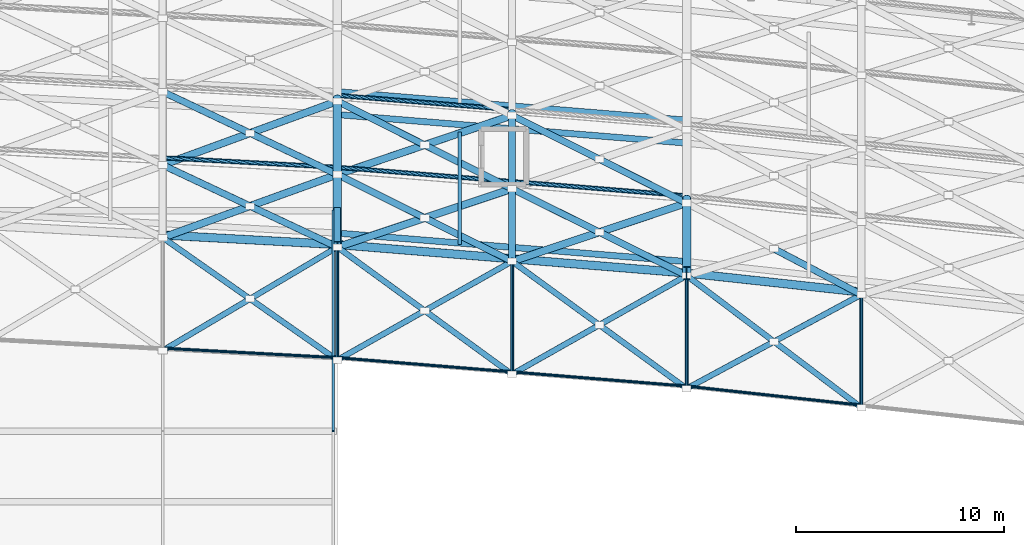
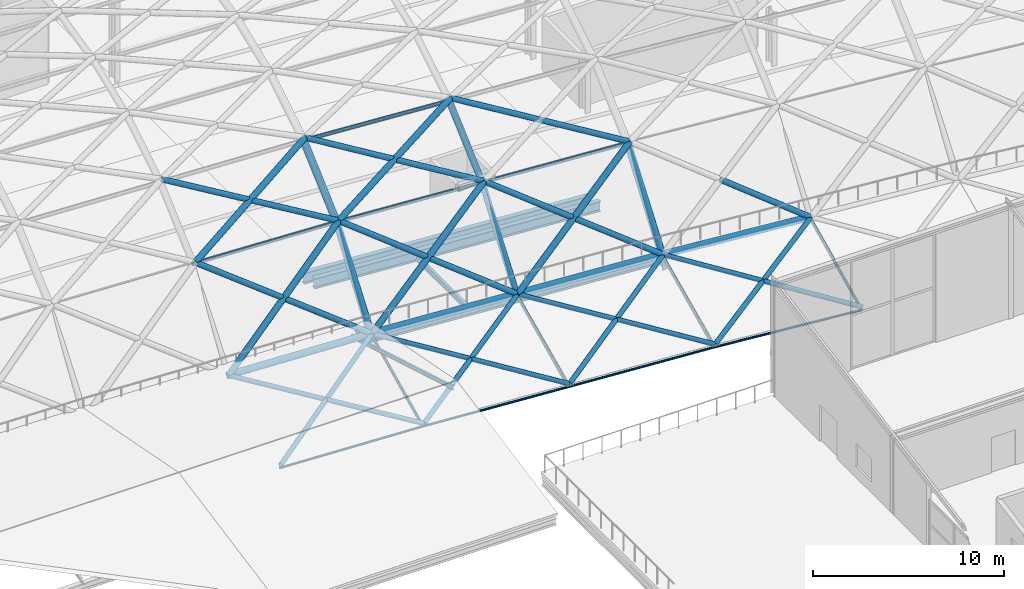
# One storey, part 50 of 100: 54 members, 4 beams.
"""IFC4 building model written with IfcOpenShell, lengths in metres."""

from ifc_helpers import new_model, si_unit, direction, frame, origin, origin_2d, place, context, subcontext, project, spatial, hollow_circle, i_section, extrude, material, material_profile, profile_set, type_object, element, save


model = new_model("IFC4")

# Units and contexts
model_context = context("Model", 3, precision=1e-05, world=origin(), true_north=direction((0.0, 1.0)))
body_context = subcontext(model_context, "Body", "Model", "MODEL_VIEW")
ifc_project = project(units=[si_unit("LENGTHUNIT", "METRE"), si_unit("AREAUNIT", "SQUARE_METRE"), si_unit("VOLUMEUNIT", "CUBIC_METRE"), si_unit("PLANEANGLEUNIT", "RADIAN"), si_unit("MASSUNIT", "GRAM", prefix="KILO")], contexts=[model_context])

# Site, building, storey
site_placement = place(None, origin())
site = spatial("IfcSite", under=ifc_project, at=site_placement, CompositionType="ELEMENT")
building_placement = place(site_placement, origin())
building = spatial("IfcBuilding", under=site, at=building_placement, Name="Kimbaza Rail Terminus", CompositionType="ELEMENT")
storey_placement = place(building_placement, frame((0.0, 0.0, 10.800048828125)))
storey = spatial("IfcBuildingStorey", under=building, at=storey_placement, Name="L02", CompositionType="ELEMENT", Elevation=10.800048828125)

# Beams
ifc_material_1 = material(Name="Steel S355", Category="steel")
ifc_material_profile_1 = material_profile(ifc_material_1, i_section(OverallWidth=0.300048828125, OverallDepth=0.64990234375, WebThickness=0.01611328125, FlangeThickness=0.031005859375, FilletRadius=0.027099609375, at=origin_2d()), Name="HEB 650")
ifc_profile_set_1 = profile_set([ifc_material_profile_1], Name="Steel S355")
beam_type_1 = type_object("IfcBeamType", Name="STR-BM-HEB650", PredefinedType="USERDEFINED", material=ifc_profile_set_1)
for number, where, z_axis, x_axis, name in (
    (1, (156.14453125, 53.9140625, -0.5849609375), (0.996689077675, -0.081307333267, 0.0), (0.081307333267, 0.996689077675, 0.0), "Viaduct Chorded Girder P1 Bay 09"),
    (2, (156.14453125, 59.614013671875, -0.5849609375), (0.996689077675, -0.081307333267, 0.0), (0.081307333267, 0.996689077675, 0.0), "Viaduct Chorded Girder P1 Bay 09"),
):
    element("IfcBeam", number, at=place(storey_placement, frame(where, z_axis=z_axis, x_axis=x_axis)), inside=storey, type_object=beam_type_1, Name=name, ObjectType="GIRDER", PredefinedType="USERDEFINED", context=body_context, shape_type="SweptSolid", body=[
        extrude(i_section(OverallWidth=0.300048828125, OverallDepth=0.64990234375, WebThickness=0.01611328125, FlangeThickness=0.031005859375, FilletRadius=0.027099609375, at=origin_2d()), origin(), (0.0, 0.0, 1.0), 16.56591796875),
    ])
ifc_material_2 = material(Name="Steel S355", Category="steel")
ifc_material_profile_2 = material_profile(ifc_material_2, i_section(OverallWidth=0.300048828125, OverallDepth=0.699951171875, WebThickness=0.01708984375, FlangeThickness=0.031982421875, FilletRadius=0.027099609375, at=origin_2d()), Name="HEB 700")
ifc_profile_set_2 = profile_set([ifc_material_profile_2], Name="Steel S355")
beam_type_2 = type_object("IfcBeamType", Name="STR-BM-HEB700", PredefinedType="USERDEFINED", material=ifc_profile_set_2)
beam_1_placement = place(storey_placement, frame((156.14453125, 60.714111328125, -0.920166015625), z_axis=(0.996689077675, -0.081307333267, 0.0), x_axis=(0.081307333267, 0.996689077675, 0.0)))
element("IfcBeam", 3, at=beam_1_placement, inside=storey, type_object=beam_type_2, Name="Viaduct Chorded Girder TR12 Bay 09", ObjectType="GIRDER", PredefinedType="USERDEFINED", context=body_context, shape_type="SweptSolid", body=[
    extrude(i_section(OverallWidth=0.300048828125, OverallDepth=0.699951171875, WebThickness=0.01708984375, FlangeThickness=0.031982421875, FilletRadius=0.027099609375, at=origin_2d()), origin(), (0.0, 0.0, 1.0), 16.56591796875),
])
ifc_material_3 = material(Name="Steel S355", Category="steel")
ifc_material_profile_3 = material_profile(ifc_material_3, i_section(OverallWidth=0.169921875, OverallDepth=0.360107421875, WebThickness=0.008056640625, FlangeThickness=0.0126953125, FilletRadius=0.01806640625, at=origin_2d()), Name="IPE 360")
ifc_profile_set_3 = profile_set([ifc_material_profile_3], Name="Steel S355")
beam_type_3 = type_object("IfcBeamType", Name="STR-BM-IPE360", PredefinedType="JOIST", material=ifc_profile_set_3)
beam_2_placement = place(storey_placement, frame((161.8798828125, 53.385498046875, -0.43994140625), z_axis=(0.0, 1.0, 0.0), x_axis=(-1.0, 0.0, 0.0)))
element("IfcBeam", 4, at=beam_2_placement, inside=storey, type_object=beam_type_3, Name="Viaduct Diaphragm P1 Bay 09", PredefinedType="JOIST", context=body_context, shape_type="SweptSolid", body=[
    extrude(i_section(OverallWidth=0.169921875, OverallDepth=0.360107421875, WebThickness=0.008056640625, FlangeThickness=0.0126953125, FilletRadius=0.01806640625, at=origin_2d()), origin(), (0.0, 0.0, 1.0), 5.41015625),
])

# Members
ifc_material_4 = material(Name="White painted steel S355", Category="steel")
ifc_material_profile_4 = material_profile(ifc_material_4, hollow_circle(Radius=0.06982421875, WallThickness=0.00634765625, at=origin_2d()), Name="CHS 139.7x6.3")
ifc_profile_set_4 = profile_set([ifc_material_profile_4], Name="White painted steel S355")
member_type_1 = type_object("IfcMemberType", Name="STR-MB-CHS139", PredefinedType="COLLAR", material=ifc_profile_set_4)
member_1_placement = place(storey_placement, frame((147.60009765625, 48.3896484375, -2.62744140625), z_axis=(0.998529393298, -0.054213012459, 0.0), x_axis=(0.054213012459, 0.998529393298, 0.0)))
element("IfcMember", 5, at=member_1_placement, inside=storey, type_object=member_type_1, Name="Vault lattice longitudinal purlin VR-15-VA00", PredefinedType="COLLAR", context=body_context, shape_type="SweptSolid", body=[
    extrude(hollow_circle(Radius=0.06982421875, WallThickness=0.00634765625, at=origin_2d()), origin(), (0.0, 0.0, 1.0), 8.412353515625),
])
member_2_placement = place(storey_placement, frame((156.0, 47.93359375, -2.62744140625), z_axis=(0.996690845265, -0.081285662728, 0.0), x_axis=(0.081285662728, 0.996690845265, 0.0)))
element("IfcMember", 6, at=member_2_placement, inside=storey, type_object=member_type_1, Name="Vault lattice longitudinal purlin VR-16-VA00", PredefinedType="COLLAR", context=body_context, shape_type="SweptSolid", body=[
    extrude(hollow_circle(Radius=0.06982421875, WallThickness=0.00634765625, at=origin_2d()), origin(), (0.0, 0.0, 1.0), 8.427734375),
])
member_3_placement = place(storey_placement, frame((164.39990234375, 47.24853515625, -2.62744140625), z_axis=(0.996688689454, -0.081312092054, 0.0), x_axis=(0.081312092054, 0.996688689454, 0.0)))
element("IfcMember", 7, at=member_3_placement, inside=storey, type_object=member_type_1, Name="Vault lattice longitudinal purlin VR-17-VA00", PredefinedType="COLLAR", context=body_context, shape_type="SweptSolid", body=[
    extrude(hollow_circle(Radius=0.06982421875, WallThickness=0.00634765625, at=origin_2d()), origin(), (0.0, 0.0, 1.0), 8.427978515625),
])
member_4_placement = place(storey_placement, frame((172.800048828125, 46.563232421875, -2.62744140625), z_axis=(0.99410959352, -0.108379500241, 0.0), x_axis=(0.108379500241, 0.99410959352, 0.0)))
element("IfcMember", 8, at=member_4_placement, inside=storey, type_object=member_type_1, Name="Vault lattice longitudinal purlin VR-18-VA00", PredefinedType="COLLAR", context=body_context, shape_type="SweptSolid", body=[
    extrude(hollow_circle(Radius=0.06982421875, WallThickness=0.00634765625, at=origin_2d()), origin(), (0.0, 0.0, 1.0), 8.44970703125),
])
ifc_material_5 = material(Name="White painted steel S355", Category="steel")
ifc_material_profile_5 = material_profile(ifc_material_5, hollow_circle(Radius=0.084228515625, WallThickness=0.00634765625, at=origin_2d()), Name="CHS 168.3x6.3")
ifc_profile_set_5 = profile_set([ifc_material_profile_5], Name="White painted steel S355")
member_type_2 = type_object("IfcMemberType", Name="STR-MB-CHS168", PredefinedType="RAFTER", material=ifc_profile_set_5)
for number, where, z_axis, x_axis, name in (
    (9, (156.0, 47.92529296875, -2.609375), (0.0, 0.901963905621, 0.431811432174), (-1.0, 0.0, 0.0), "Vault lattice arch chord VR-16 seg 1"),
    (10, (164.39990234375, 47.240234375, -2.609375), (0.0, 0.901963905621, 0.431811432174), (-1.0, 0.0, 0.0), "Vault lattice arch chord VR-17 seg 1"),
    (11, (172.800048828125, 46.554931640625, -2.609375), (0.0, 0.901963905621, 0.431811432174), (-1.0, 0.0, 0.0), "Vault lattice arch chord VR-18 seg 1"),
    (12, (181.199951171875, 45.63916015625, -2.609375), (0.0, 0.901963905621, 0.431811432174), (-1.0, 0.0, 0.0), "Vault lattice arch chord VR-19 seg 1"),
):
    element("IfcMember", number, at=place(storey_placement, frame(where, z_axis=z_axis, x_axis=x_axis)), inside=storey, type_object=member_type_2, Name=name, PredefinedType="RAFTER", context=body_context, shape_type="SweptSolid", body=[
        extrude(hollow_circle(Radius=0.084228515625, WallThickness=0.00634765625, at=origin_2d()), origin(), (0.0, 0.0, 1.0), 6.04296875),
    ])
ifc_material_6 = material(Name="White painted steel S355", Category="steel")
ifc_material_profile_6 = material_profile(ifc_material_6, hollow_circle(Radius=0.109619140625, WallThickness=0.008056640625, at=origin_2d()), Name="CHS 219.1x8")
ifc_profile_set_6 = profile_set([ifc_material_profile_6], Name="White painted steel S355")
member_type_3 = type_object("IfcMemberType", Name="STR-MB-CHS219", PredefinedType="PURLIN", material=ifc_profile_set_6)
member_5_placement = place(storey_placement, frame((147.60009765625, 57.546630859375, 4.85205078125), z_axis=(0.998529393298, -0.054213012459, 0.0), x_axis=(0.054213012459, 0.998529393298, 0.0)))
element("IfcMember", 13, at=member_5_placement, inside=storey, type_object=member_type_3, Name="Vault lattice longitudinal purlin VR-15-VA02", PredefinedType="PURLIN", context=body_context, shape_type="SweptSolid", body=[
    extrude(hollow_circle(Radius=0.109619140625, WallThickness=0.008056640625, at=origin_2d()), origin(), (0.0, 0.0, 1.0), 8.412353515625),
])
for number, where, z_axis, x_axis, name in (
    (14, (156.0, 57.090576171875, 4.85205078125), (0.996690845265, -0.081285662728, 0.0), (0.081285662728, 0.996690845265, 0.0), "Vault lattice longitudinal purlin VR-16-VA02"),
    (15, (156.0, 60.547607421875, 7.9716796875), (0.996690845265, -0.081285662728, 0.0), (0.081285662728, 0.996690845265, 0.0), "Vault lattice longitudinal purlin VR-16-VA03"),
):
    element("IfcMember", number, at=place(storey_placement, frame(where, z_axis=z_axis, x_axis=x_axis)), inside=storey, type_object=member_type_3, Name=name, PredefinedType="PURLIN", context=body_context, shape_type="SweptSolid", body=[
        extrude(hollow_circle(Radius=0.109619140625, WallThickness=0.008056640625, at=origin_2d()), origin(), (0.0, 0.0, 1.0), 8.427734375),
    ])
member_6_placement = place(storey_placement, frame((164.39990234375, 56.405517578125, 4.85205078125), z_axis=(0.996688689454, -0.081312092054, 0.0), x_axis=(0.081312092054, 0.996688689454, 0.0)))
element("IfcMember", 16, at=member_6_placement, inside=storey, type_object=member_type_3, Name="Vault lattice longitudinal purlin VR-17-VA02", PredefinedType="PURLIN", context=body_context, shape_type="SweptSolid", body=[
    extrude(hollow_circle(Radius=0.109619140625, WallThickness=0.008056640625, at=origin_2d()), origin(), (0.0, 0.0, 1.0), 8.427978515625),
])
ifc_material_7 = material(Name="White painted steel S355", Category="steel")
ifc_material_profile_7 = material_profile(ifc_material_7, hollow_circle(Radius=0.136474609375, WallThickness=0.010009765625, at=origin_2d()), Name="CHS 273x10")
ifc_profile_set_7 = profile_set([ifc_material_profile_7], Name="White painted steel S355")
member_type_4 = type_object("IfcMemberType", Name="STR-MB-CHS273", PredefinedType="STRUT", material=ifc_profile_set_7)
member_7_placement = place(storey_placement, frame((147.60009765625, 48.27392578125, -2.37255859375), z_axis=(0.834707970111, 0.494599528764, 0.242144400677), x_axis=(-0.509770175808, 0.86031062289, 0.0)))
element("IfcMember", 17, at=member_7_placement, inside=storey, type_object=member_type_4, Name="Vault lattice diagonal A VR-15-VA00", PredefinedType="STRUT", context=body_context, shape_type="SweptSolid", body=[
    extrude(hollow_circle(Radius=0.136474609375, WallThickness=0.010009765625, at=origin_2d()), origin(), (0.0, 0.0, 1.0), 10.063232421875),
])
member_8_placement = place(storey_placement, frame((156.0, 47.81787109375, -2.37255859375), z_axis=(-0.796627165653, 0.558560534332, 0.231074205465), x_axis=(-0.574097844194, -0.818786703172, 0.0)))
element("IfcMember", 18, at=member_8_placement, inside=storey, type_object=member_type_4, Name="Vault lattice diagonal B1 VR-15-VA00", PredefinedType="STRUT", context=body_context, shape_type="SweptSolid", body=[
    extrude(hollow_circle(Radius=0.136474609375, WallThickness=0.010009765625, at=origin_2d()), origin(), (0.0, 0.0, 1.0), 5.272216796875),
])
member_9_placement = place(storey_placement, frame((151.800048828125, 50.7626953125, -1.154296875), z_axis=(-0.796639245117, 0.558522695772, 0.231124017461), x_axis=(-0.574065934256, -0.818809076114, 0.0)))
element("IfcMember", 19, at=member_9_placement, inside=storey, type_object=member_type_4, Name="Vault lattice diagonal B2 VR-15-VA00", PredefinedType="STRUT", context=body_context, shape_type="SweptSolid", body=[
    extrude(hollow_circle(Radius=0.136474609375, WallThickness=0.010009765625, at=origin_2d()), origin(), (0.0, 0.0, 1.0), 5.27197265625),
])
member_10_placement = place(storey_placement, frame((156.0, 47.81787109375, -2.37255859375), z_axis=(0.844040955937, 0.477118890659, 0.244851850875), x_axis=(-0.492098109028, 0.870539746991, 0.0)))
element("IfcMember", 20, at=member_10_placement, inside=storey, type_object=member_type_4, Name="Vault lattice diagonal A VR-16-VA00", PredefinedType="STRUT", context=body_context, shape_type="SweptSolid", body=[
    extrude(hollow_circle(Radius=0.136474609375, WallThickness=0.010009765625, at=origin_2d()), origin(), (0.0, 0.0, 1.0), 9.951904296875),
])
for number, where, z_axis, x_axis, name in (
    (21, (164.39990234375, 47.1328125, -2.37255859375), (-0.786954526171, 0.573232992353, 0.228268504656), (-0.588777774906, -0.808294953452, 0.0), "Vault lattice diagonal B1 VR-16-VA00"),
    (22, (160.199951171875, 50.192138671875, -1.154296875), (-0.786966943327, 0.573196291338, 0.22831785236), (-0.588747075962, -0.808317314268, 0.0), "Vault lattice diagonal B2 VR-16-VA00"),
):
    element("IfcMember", number, at=place(storey_placement, frame(where, z_axis=z_axis, x_axis=x_axis)), inside=storey, type_object=member_type_4, Name=name, PredefinedType="STRUT", context=body_context, shape_type="SweptSolid", body=[
        extrude(hollow_circle(Radius=0.136474609375, WallThickness=0.010009765625, at=origin_2d()), origin(), (0.0, 0.0, 1.0), 5.3369140625),
    ])
member_11_placement = place(storey_placement, frame((164.39990234375, 47.1328125, -2.37255859375), z_axis=(0.844048010936, 0.477109011675, 0.244846781096), x_axis=(-0.492087270091, 0.870545873929, 0.0)))
element("IfcMember", 23, at=member_11_placement, inside=storey, type_object=member_type_4, Name="Vault lattice diagonal A VR-17-VA00", PredefinedType="STRUT", context=body_context, shape_type="SweptSolid", body=[
    extrude(hollow_circle(Radius=0.136474609375, WallThickness=0.010009765625, at=origin_2d()), origin(), (0.0, 0.0, 1.0), 9.9521484375),
])
member_12_placement = place(storey_placement, frame((172.800048828125, 46.447509765625, -2.37255859375), z_axis=(-0.786954526171, 0.573232992353, 0.228268504656), x_axis=(-0.588777774906, -0.808294953452, 0.0)))
element("IfcMember", 24, at=member_12_placement, inside=storey, type_object=member_type_4, Name="Vault lattice diagonal B1 VR-17-VA00", PredefinedType="STRUT", context=body_context, shape_type="SweptSolid", body=[
    extrude(hollow_circle(Radius=0.136474609375, WallThickness=0.010009765625, at=origin_2d()), origin(), (0.0, 0.0, 1.0), 5.3369140625),
])
member_13_placement = place(storey_placement, frame((168.60009765625, 49.5068359375, -1.154296875), z_axis=(-0.786963722732, 0.573206371167, 0.228303646835), x_axis=(-0.58875541475, -0.808311240552, 0.0)))
element("IfcMember", 25, at=member_13_placement, inside=storey, type_object=member_type_4, Name="Vault lattice diagonal B2 VR-17-VA00", PredefinedType="STRUT", context=body_context, shape_type="SweptSolid", body=[
    extrude(hollow_circle(Radius=0.136474609375, WallThickness=0.010009765625, at=origin_2d()), origin(), (0.0, 0.0, 1.0), 5.337158203125),
])
member_14_placement = place(storey_placement, frame((172.800048828125, 46.447509765625, -2.37255859375), z_axis=(0.853300104894, 0.458916036184, 0.247537881385), x_axis=(-0.473657089864, 0.88070935116, 0.0)))
element("IfcMember", 26, at=member_14_placement, inside=storey, type_object=member_type_4, Name="Vault lattice diagonal A VR-18-VA00", PredefinedType="STRUT", context=body_context, shape_type="SweptSolid", body=[
    extrude(hollow_circle(Radius=0.136474609375, WallThickness=0.010009765625, at=origin_2d()), origin(), (0.0, 0.0, 1.0), 9.843994140625),
])
member_15_placement = place(storey_placement, frame((181.199951171875, 45.53173828125, -2.37255859375), z_axis=(-0.777214726015, 0.587462831039, 0.22544332284), x_axis=(-0.602985929157, -0.797751821833, 0.0)))
element("IfcMember", 27, at=member_15_placement, inside=storey, type_object=member_type_4, Name="Vault lattice diagonal B1 VR-18-VA00", PredefinedType="STRUT", context=body_context, shape_type="SweptSolid", body=[
    extrude(hollow_circle(Radius=0.136474609375, WallThickness=0.010009765625, at=origin_2d()), origin(), (0.0, 0.0, 1.0), 5.40380859375),
])
member_16_placement = place(storey_placement, frame((177.0, 48.706298828125, -1.154296875), z_axis=(-0.777186181775, 0.587486433053, 0.225480220499), x_axis=(-0.603015439959, -0.797729515043, 0.0)))
element("IfcMember", 28, at=member_16_placement, inside=storey, type_object=member_type_4, Name="Vault lattice diagonal B2 VR-18-VA00", PredefinedType="STRUT", context=body_context, shape_type="SweptSolid", body=[
    extrude(hollow_circle(Radius=0.136474609375, WallThickness=0.010009765625, at=origin_2d()), origin(), (0.0, 0.0, 1.0), 5.404052734375),
])
ifc_material_8 = material(Name="White painted steel S355", Category="steel")
ifc_material_profile_8 = material_profile(ifc_material_8, hollow_circle(Radius=0.161865234375, WallThickness=0.010009765625, at=origin_2d()), Name="CHS 323.9x10")
ifc_profile_set_8 = profile_set([ifc_material_profile_8], Name="White painted steel S355")
member_type_5 = type_object("IfcMemberType", Name="STR-MB-CHS323", PredefinedType="STRUT", material=ifc_profile_set_8)
for number, where, z_axis, x_axis, name in (
    (29, (156.0, 53.251220703125, 0.064208984375), (-0.793060967773, 0.372673653634, 0.481838820854), (-0.425300380162, -0.9050522563, 0.0), "Vault lattice diagonal B1 VR-15-VA01"),
    (30, (151.800048828125, 55.224853515625, 2.615966796875), (-0.793060967773, 0.372673653634, 0.481838820854), (-0.425300380162, -0.9050522563, 0.0), "Vault lattice diagonal B2 VR-15-VA01"),
):
    element("IfcMember", number, at=place(storey_placement, frame(where, z_axis=z_axis, x_axis=x_axis)), inside=storey, type_object=member_type_5, Name=name, PredefinedType="STRUT", context=body_context, shape_type="SweptSolid", body=[
        extrude(hollow_circle(Radius=0.161865234375, WallThickness=0.010009765625, at=origin_2d()), origin(), (0.0, 0.0, 1.0), 5.2958984375),
    ])
member_17_placement = place(storey_placement, frame((156.0, 56.742431640625, 5.167724609375), z_axis=(-0.854878963746, 0.405300984033, 0.323902870761), x_axis=(-0.428395648018, -0.903591261998, 0.0)))
element("IfcMember", 31, at=member_17_placement, inside=storey, type_object=member_type_5, Name="Vault lattice diagonal B1 VR-15-VA02", PredefinedType="STRUT", context=body_context, shape_type="SweptSolid", body=[
    extrude(hollow_circle(Radius=0.161865234375, WallThickness=0.010009765625, at=origin_2d()), origin(), (0.0, 0.0, 1.0), 4.912841796875),
])
member_18_placement = place(storey_placement, frame((151.800048828125, 58.733642578125, 6.759033203125), z_axis=(-0.85486174521, 0.405342513264, 0.323896346874), x_axis=(-0.428438532209, -0.903570929213, 0.0)))
element("IfcMember", 32, at=member_18_placement, inside=storey, type_object=member_type_5, Name="Vault lattice diagonal B2 VR-15-VA02", PredefinedType="STRUT", context=body_context, shape_type="SweptSolid", body=[
    extrude(hollow_circle(Radius=0.161865234375, WallThickness=0.010009765625, at=origin_2d()), origin(), (0.0, 0.0, 1.0), 4.9130859375),
])
for number, where, z_axis, x_axis, name in (
    (33, (164.39990234375, 52.566162109375, 0.064208984375), (-0.786566126574, 0.391065516514, 0.477892760272), (-0.445192873622, -0.895434701849, 0.0), "Vault lattice diagonal B1 VR-16-VA01"),
    (34, (160.199951171875, 54.654296875, 2.615966796875), (-0.786566126574, 0.391065516514, 0.477892760272), (-0.445192873622, -0.895434701849, 0.0), "Vault lattice diagonal B2 VR-16-VA01"),
):
    element("IfcMember", number, at=place(storey_placement, frame(where, z_axis=z_axis, x_axis=x_axis)), inside=storey, type_object=member_type_5, Name=name, PredefinedType="STRUT", context=body_context, shape_type="SweptSolid", body=[
        extrude(hollow_circle(Radius=0.161865234375, WallThickness=0.010009765625, at=origin_2d()), origin(), (0.0, 0.0, 1.0), 5.339599609375),
    ])
for number, where, z_axis, x_axis, name in (
    (35, (164.39990234375, 56.057373046875, 5.167724609375), (-0.846673017368, 0.424542315167, 0.320793741045), (-0.448231777961, -0.893917374944, 0.0), "Vault lattice diagonal B1 VR-16-VA02"),
    (36, (160.199951171875, 58.163330078125, 6.759033203125), (-0.846690707728, 0.424501967921, 0.3208004437), (-0.448190253585, -0.893938195063, 0.0), "Vault lattice diagonal B2 VR-16-VA02"),
):
    element("IfcMember", number, at=place(storey_placement, frame(where, z_axis=z_axis, x_axis=x_axis)), inside=storey, type_object=member_type_5, Name=name, PredefinedType="STRUT", context=body_context, shape_type="SweptSolid", body=[
        extrude(hollow_circle(Radius=0.161865234375, WallThickness=0.010009765625, at=origin_2d()), origin(), (0.0, 0.0, 1.0), 4.96044921875),
    ])
member_19_placement = place(storey_placement, frame((172.800048828125, 51.881103515625, 0.064208984375), z_axis=(-0.786566126574, 0.391065516514, 0.477892760272), x_axis=(-0.445192873622, -0.895434701849, 0.0)))
element("IfcMember", 37, at=member_19_placement, inside=storey, type_object=member_type_5, Name="Vault lattice diagonal B1 VR-17-VA01", PredefinedType="STRUT", context=body_context, shape_type="SweptSolid", body=[
    extrude(hollow_circle(Radius=0.161865234375, WallThickness=0.010009765625, at=origin_2d()), origin(), (0.0, 0.0, 1.0), 5.339599609375),
])
member_20_placement = place(storey_placement, frame((168.60009765625, 53.96923828125, 2.615966796875), z_axis=(-0.786583560294, 0.391051452639, 0.477875573831), x_axis=(-0.445172124768, -0.89544501748, 0.0)))
element("IfcMember", 38, at=member_20_placement, inside=storey, type_object=member_type_5, Name="Vault lattice diagonal B2 VR-17-VA01", PredefinedType="STRUT", context=body_context, shape_type="SweptSolid", body=[
    extrude(hollow_circle(Radius=0.161865234375, WallThickness=0.010009765625, at=origin_2d()), origin(), (0.0, 0.0, 1.0), 5.33984375),
])
member_21_placement = place(storey_placement, frame((172.800048828125, 55.3720703125, 5.167724609375), z_axis=(-0.846673017368, 0.424542315167, 0.320793741045), x_axis=(-0.448231777961, -0.893917374944, 0.0)))
element("IfcMember", 39, at=member_21_placement, inside=storey, type_object=member_type_5, Name="Vault lattice diagonal B1 VR-17-VA02", PredefinedType="STRUT", context=body_context, shape_type="SweptSolid", body=[
    extrude(hollow_circle(Radius=0.161865234375, WallThickness=0.010009765625, at=origin_2d()), origin(), (0.0, 0.0, 1.0), 4.96044921875),
])
member_22_placement = place(storey_placement, frame((168.60009765625, 57.47802734375, 6.759033203125), z_axis=(-0.846686951919, 0.424524624927, 0.320780373902), x_axis=(-0.448210958208, -0.893927814168, 0.0)))
element("IfcMember", 40, at=member_22_placement, inside=storey, type_object=member_type_5, Name="Vault lattice diagonal B2 VR-17-VA02", PredefinedType="STRUT", context=body_context, shape_type="SweptSolid", body=[
    extrude(hollow_circle(Radius=0.161865234375, WallThickness=0.010009765625, at=origin_2d()), origin(), (0.0, 0.0, 1.0), 4.960693359375),
])
member_23_placement = place(storey_placement, frame((181.199951171875, 50.965087890625, 0.064208984375), z_axis=(-0.779817656021, 0.409151552825, 0.473792602495), x_axis=(-0.464608919448, -0.88551598064, 0.0)))
element("IfcMember", 41, at=member_23_placement, inside=storey, type_object=member_type_5, Name="Vault lattice diagonal B1 VR-18-VA01", PredefinedType="STRUT", context=body_context, shape_type="SweptSolid", body=[
    extrude(hollow_circle(Radius=0.161865234375, WallThickness=0.010009765625, at=origin_2d()), origin(), (0.0, 0.0, 1.0), 5.3857421875),
])
ifc_material_9 = material(Name="White painted steel S355", Category="steel")
ifc_material_profile_9 = material_profile(ifc_material_9, hollow_circle(Radius=0.177734375, WallThickness=0.012451171875, at=origin_2d()), Name="CHS 355.6x12.5")
ifc_profile_set_9 = profile_set([ifc_material_profile_9], Name="White painted steel S355")
member_type_6 = type_object("IfcMemberType", Name="STR-MB-CHS355", PredefinedType="CHORD", material=ifc_profile_set_9)
member_24_placement = place(storey_placement, frame((164.39990234375, 52.690673828125, 0.0), z_axis=(0.0, 0.585733481953, 0.810503724926), x_axis=(-1.0, 0.0, 0.0)))
element("IfcMember", 42, at=member_24_placement, inside=storey, type_object=member_type_6, Name="Vault lattice arch chord VR-17 seg 2", PredefinedType="CHORD", context=body_context, shape_type="SweptSolid", body=[
    extrude(hollow_circle(Radius=0.177734375, WallThickness=0.012451171875, at=origin_2d()), origin(), (0.0, 0.0, 1.0), 6.127197265625),
])
member_25_placement = place(storey_placement, frame((164.39990234375, 56.279541015625, 4.966064453125), z_axis=(0.0, 0.742379857618, 0.669979213859), x_axis=(-1.0, 0.0, 0.0)))
element("IfcMember", 43, at=member_25_placement, inside=storey, type_object=member_type_6, Name="Vault lattice arch chord VR-17 seg 3", PredefinedType="CHORD", context=body_context, shape_type="SweptSolid", body=[
    extrude(hollow_circle(Radius=0.177734375, WallThickness=0.012451171875, at=origin_2d()), origin(), (0.0, 0.0, 1.0), 4.690673828125),
])
member_26_placement = place(storey_placement, frame((147.60009765625, 53.707275390625, 0.064208984375), z_axis=(0.816578115459, 0.295056069621, 0.496127097761), x_axis=(-0.339828506606, 0.940487419426, 0.0)))
element("IfcMember", 44, at=member_26_placement, inside=storey, type_object=member_type_6, Name="Vault lattice diagonal A VR-15-VA01", PredefinedType="CHORD", context=body_context, shape_type="SweptSolid", body=[
    extrude(hollow_circle(Radius=0.177734375, WallThickness=0.012451171875, at=origin_2d()), origin(), (0.0, 0.0, 1.0), 10.28662109375),
])
member_27_placement = place(storey_placement, frame((147.60009765625, 57.198486328125, 5.167724609375), z_axis=(0.884858720567, 0.323457191437, 0.335261822976), x_axis=(-0.343327257478, 0.939215840088, 0.0)))
element("IfcMember", 45, at=member_27_placement, inside=storey, type_object=member_type_6, Name="Vault lattice diagonal A VR-15-VA02", PredefinedType="CHORD", context=body_context, shape_type="SweptSolid", body=[
    extrude(hollow_circle(Radius=0.177734375, WallThickness=0.012451171875, at=origin_2d()), origin(), (0.0, 0.0, 1.0), 9.492919921875),
])
member_28_placement = place(storey_placement, frame((156.0, 53.251220703125, 0.064208984375), z_axis=(0.821788975947, 0.274534746542, 0.499293052177), x_axis=(-0.316856226452, 0.948473579895, 0.0)))
element("IfcMember", 46, at=member_28_placement, inside=storey, type_object=member_type_6, Name="Vault lattice diagonal A VR-16-VA01", PredefinedType="CHORD", context=body_context, shape_type="SweptSolid", body=[
    extrude(hollow_circle(Radius=0.177734375, WallThickness=0.012451171875, at=origin_2d()), origin(), (0.0, 0.0, 1.0), 10.221435546875),
])
member_29_placement = place(storey_placement, frame((156.0, 56.742431640625, 5.167724609375), z_axis=(0.891581615604, 0.301607813289, 0.337809043219), x_axis=(-0.320445296597, 0.947267022486, 0.0)))
element("IfcMember", 47, at=member_29_placement, inside=storey, type_object=member_type_6, Name="Vault lattice diagonal A VR-16-VA02", PredefinedType="CHORD", context=body_context, shape_type="SweptSolid", body=[
    extrude(hollow_circle(Radius=0.177734375, WallThickness=0.012451171875, at=origin_2d()), origin(), (0.0, 0.0, 1.0), 9.42138671875),
])
member_30_placement = place(storey_placement, frame((164.39990234375, 52.566162109375, 0.064208984375), z_axis=(0.821802118662, 0.274507273223, 0.499286525664), x_axis=(-0.316823142682, 0.948484631537, 0.0)))
element("IfcMember", 48, at=member_30_placement, inside=storey, type_object=member_type_6, Name="Vault lattice diagonal A VR-17-VA01", PredefinedType="CHORD", context=body_context, shape_type="SweptSolid", body=[
    extrude(hollow_circle(Radius=0.177734375, WallThickness=0.012451171875, at=origin_2d()), origin(), (0.0, 0.0, 1.0), 10.2216796875),
])
ifc_material_10 = material(Name="White painted steel S355", Category="steel")
ifc_material_profile_10 = material_profile(ifc_material_10, hollow_circle(Radius=0.203125, WallThickness=0.01416015625, at=origin_2d()), Name="CHS 406.4x14.2")
ifc_profile_set_10 = profile_set([ifc_material_profile_10], Name="White painted steel S355")
member_type_7 = type_object("IfcMemberType", Name="STR-MB-CHS406", PredefinedType="CHORD", material=ifc_profile_set_10)
member_31_placement = place(storey_placement, frame((156.0, 53.375732421875, 0.0), z_axis=(0.0, 0.585733481953, 0.810503724926), x_axis=(-1.0, 0.0, 0.0)))
element("IfcMember", 49, at=member_31_placement, inside=storey, type_object=member_type_7, Name="Vault lattice arch chord VR-16 seg 2", PredefinedType="CHORD", context=body_context, shape_type="SweptSolid", body=[
    extrude(hollow_circle(Radius=0.203125, WallThickness=0.01416015625, at=origin_2d()), origin(), (0.0, 0.0, 1.0), 6.127197265625),
])
member_32_placement = place(storey_placement, frame((156.0, 56.964599609375, 4.966064453125), z_axis=(0.0, 0.742379857618, 0.669979213859), x_axis=(-1.0, 0.0, 0.0)))
element("IfcMember", 50, at=member_32_placement, inside=storey, type_object=member_type_7, Name="Vault lattice arch chord VR-16 seg 3", PredefinedType="CHORD", context=body_context, shape_type="SweptSolid", body=[
    extrude(hollow_circle(Radius=0.203125, WallThickness=0.01416015625, at=origin_2d()), origin(), (0.0, 0.0, 1.0), 4.690673828125),
])
member_33_placement = place(storey_placement, frame((172.800048828125, 52.00537109375, 0.0), z_axis=(0.0, 0.585733481953, 0.810503724926), x_axis=(-1.0, 0.0, 0.0)))
element("IfcMember", 51, at=member_33_placement, inside=storey, type_object=member_type_7, Name="Vault lattice arch chord VR-18 seg 2", PredefinedType="CHORD", context=body_context, shape_type="SweptSolid", body=[
    extrude(hollow_circle(Radius=0.203125, WallThickness=0.01416015625, at=origin_2d()), origin(), (0.0, 0.0, 1.0), 6.127197265625),
])
member_34_placement = place(storey_placement, frame((147.60009765625, 53.831787109375, 0.0), z_axis=(0.998529393298, -0.054213012459, 0.0), x_axis=(0.054213012459, 0.998529393298, 0.0)))
element("IfcMember", 52, at=member_34_placement, inside=storey, type_object=member_type_7, Name="Vault lattice springing ring chord VR-15", PredefinedType="CHORD", context=body_context, shape_type="SweptSolid", body=[
    extrude(hollow_circle(Radius=0.203125, WallThickness=0.01416015625, at=origin_2d()), origin(), (0.0, 0.0, 1.0), 8.412353515625),
])
member_35_placement = place(storey_placement, frame((156.0, 53.375732421875, 0.0), z_axis=(0.996690845265, -0.081285662728, 0.0), x_axis=(0.081285662728, 0.996690845265, 0.0)))
element("IfcMember", 53, at=member_35_placement, inside=storey, type_object=member_type_7, Name="Vault lattice springing ring chord VR-16", PredefinedType="CHORD", context=body_context, shape_type="SweptSolid", body=[
    extrude(hollow_circle(Radius=0.203125, WallThickness=0.01416015625, at=origin_2d()), origin(), (0.0, 0.0, 1.0), 8.427734375),
])
member_36_placement = place(storey_placement, frame((164.39990234375, 52.690673828125, 0.0), z_axis=(0.996688689454, -0.081312092054, 0.0), x_axis=(0.081312092054, 0.996688689454, 0.0)))
element("IfcMember", 54, at=member_36_placement, inside=storey, type_object=member_type_7, Name="Vault lattice springing ring chord VR-17", PredefinedType="CHORD", context=body_context, shape_type="SweptSolid", body=[
    extrude(hollow_circle(Radius=0.203125, WallThickness=0.01416015625, at=origin_2d()), origin(), (0.0, 0.0, 1.0), 8.427978515625),
])
member_37_placement = place(storey_placement, frame((172.800048828125, 52.00537109375, 0.0), z_axis=(0.99410959352, -0.108379500241, 0.0), x_axis=(0.108379500241, 0.99410959352, 0.0)))
element("IfcMember", 55, at=member_37_placement, inside=storey, type_object=member_type_7, Name="Vault lattice springing ring chord VR-18", PredefinedType="CHORD", context=body_context, shape_type="SweptSolid", body=[
    extrude(hollow_circle(Radius=0.203125, WallThickness=0.01416015625, at=origin_2d()), origin(), (0.0, 0.0, 1.0), 8.44970703125),
])
ifc_material_11 = material(Name="Steel S355", Category="steel")
ifc_material_profile_11 = material_profile(ifc_material_11, i_section(OverallWidth=0.304931640625, OverallDepth=0.6201171875, WebThickness=0.02099609375, FlangeThickness=0.0400390625, FilletRadius=0.027099609375, at=origin_2d()), Name="HEM 600")
ifc_profile_set_11 = profile_set([ifc_material_profile_11], Name="Steel S355")
member_type_8 = type_object("IfcMemberType", Name="STR-MB-HEM600", PredefinedType="POST", material=ifc_profile_set_11)
member_38_placement = place(storey_placement, frame((156.0, 55.0, -0.900146484375), z_axis=(0.0, -0.87466531027, 0.484727340894), x_axis=(1.0, 0.0, 0.0)))
element("IfcMember", 56, at=member_38_placement, inside=storey, type_object=member_type_8, Name="Vault Springing Shoe Pedestal S VP-09", PredefinedType="POST", context=body_context, shape_type="SweptSolid", body=[
    extrude(i_section(OverallWidth=0.304931640625, OverallDepth=0.6201171875, WebThickness=0.02099609375, FlangeThickness=0.0400390625, FilletRadius=0.027099609375, at=origin_2d()), origin(), (0.0, 0.0, 1.0), 1.85693359375),
])
member_39_placement = place(storey_placement, frame((172.800048828125, 52.00537109375, -0.800048828125), z_axis=(0.0, 0.0, 1.0), x_axis=(1.0, 0.0, 0.0)))
element("IfcMember", 57, at=member_39_placement, inside=storey, type_object=member_type_8, Name="Vault Springing Shoe Pedestal S VP-10", PredefinedType="POST", context=body_context, shape_type="SweptSolid", body=[
    extrude(i_section(OverallWidth=0.304931640625, OverallDepth=0.6201171875, WebThickness=0.02099609375, FlangeThickness=0.0400390625, FilletRadius=0.027099609375, at=origin_2d()), origin(), (0.0, 0.0, 1.0), 0.800048828125),
])
ifc_material_12 = material(Name="Steel S355", Category="steel")
ifc_material_profile_12 = material_profile(ifc_material_12, i_section(OverallWidth=0.1201171875, OverallDepth=0.239990234375, WebThickness=0.006103515625, FlangeThickness=0.009765625, FilletRadius=0.014892578125, at=origin_2d()), Name="IPE 240")
ifc_profile_set_12 = profile_set([ifc_material_profile_12], Name="Steel S355")
member_type_9 = type_object("IfcMemberType", Name="STR-MB-IPE240", PredefinedType="PURLIN", material=ifc_profile_set_12)
member_40_placement = place(storey_placement, frame((155.800048828125, 44.39990234375, 2.050048828125), z_axis=(0.0, 0.959059986523, -0.283203005371), x_axis=(-1.0, 0.0, 0.0)))
element("IfcMember", 58, at=member_40_placement, inside=storey, type_object=member_type_9, Name="Concourse Roof Rafter N6", PredefinedType="PURLIN", context=body_context, shape_type="SweptSolid", body=[
    extrude(i_section(OverallWidth=0.1201171875, OverallDepth=0.239990234375, WebThickness=0.006103515625, FlangeThickness=0.009765625, FilletRadius=0.014892578125, at=origin_2d()), origin(), (0.0, 0.0, 1.0), 11.052490234375),
])

save(model, "model.ifc")
